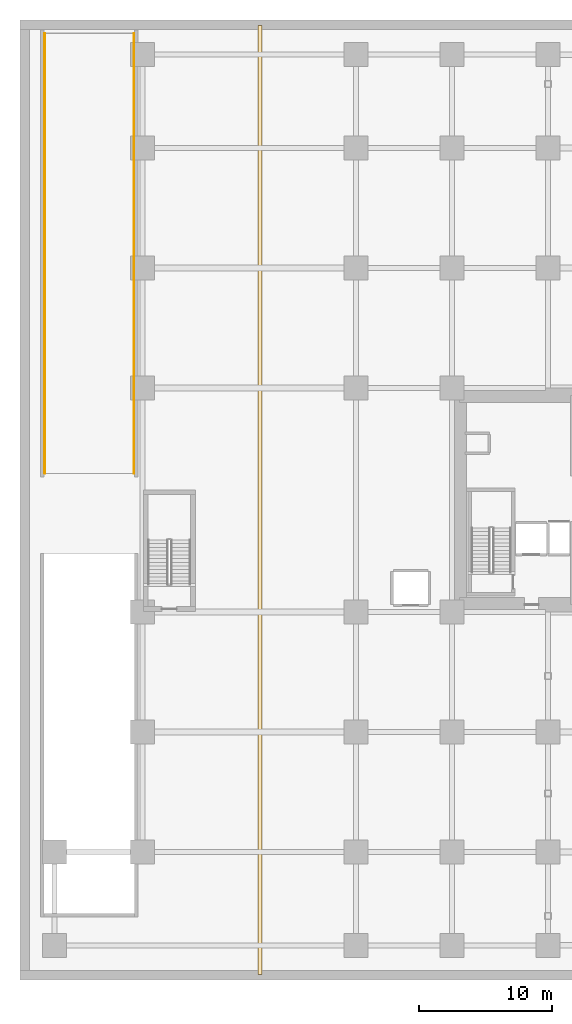
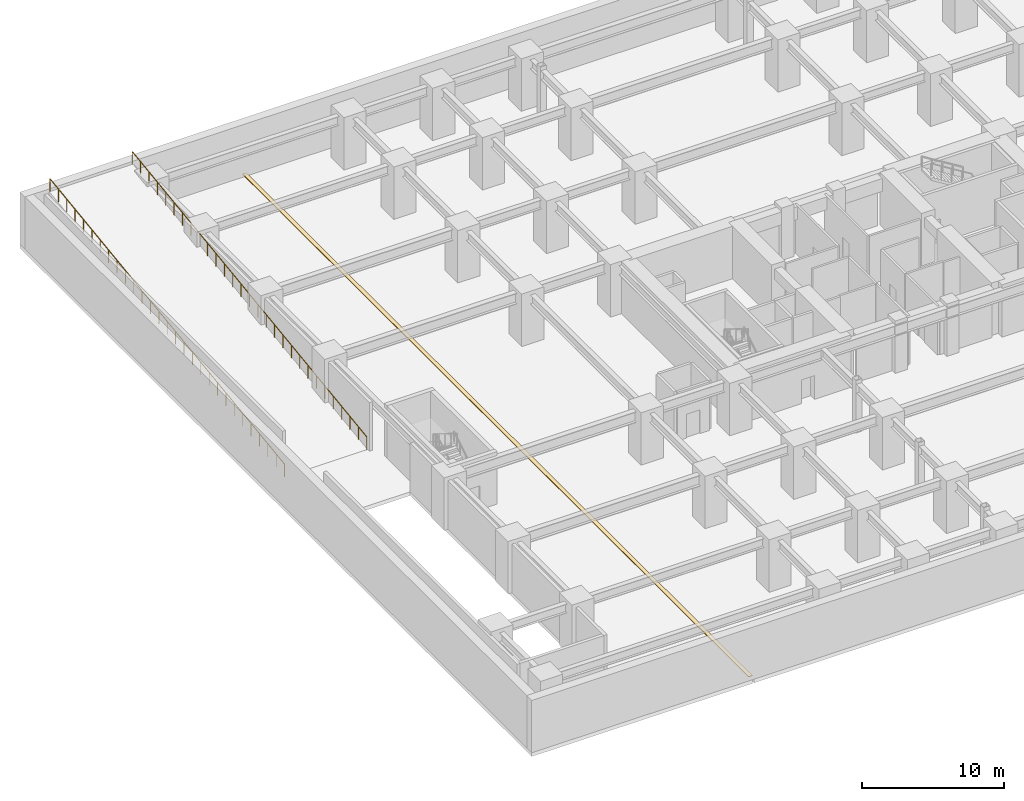
# One storey, part 16 of 20: 2 railings, 1 covering.
"""IFC4 building model written with IfcOpenShell, lengths in metres."""

from ifc_helpers import new_model, si_unit, direction, frame, origin, origin_2d, place, context, subcontext, project, spatial, polyline, rectangle, outline, extrude, material, layer, layer_set, type_object, element, save


model = new_model("IFC4")

# Units and contexts
model_context = context("Model", 3, precision=1e-05, world=origin(), true_north=direction((0.0, 1.0)))
body_context = subcontext(model_context, "Body", "Model", "MODEL_VIEW")
ifc_project = project(units=[si_unit("LENGTHUNIT", "METRE"), si_unit("AREAUNIT", "SQUARE_METRE"), si_unit("VOLUMEUNIT", "CUBIC_METRE"), si_unit("PLANEANGLEUNIT", "RADIAN"), si_unit("MASSUNIT", "GRAM", prefix="KILO")], contexts=[model_context])

# Site, building, storey
site_placement = place(None, origin())
site = spatial("IfcSite", under=ifc_project, at=site_placement, CompositionType="ELEMENT")
building_placement = place(site_placement, origin())
building = spatial("IfcBuilding", under=site, at=building_placement, Name="Kiyonajd Concourse Tower", CompositionType="ELEMENT")
storey_placement = place(building_placement, frame((0.0, 0.0, -4.5)))
storey = spatial("IfcBuildingStorey", under=building, at=storey_placement, Name="B1", CompositionType="ELEMENT", Elevation=-4.5)

# Covering
ifc_material_1 = material(Name="Riyadh Jubaila Limestone", Category="masonry")
ifc_layer = layer(ifc_material_1, 0.050048828125)
ifc_layer_set = layer_set([ifc_layer], Name="Riyadh Jubaila Limestone")
covering_type = type_object("IfcCoveringType", Name="CV-FLR-RAISED", PredefinedType="FLOORING", material=ifc_layer_set)
covering_placement = place(storey_placement, origin())
element("IfcCovering", 1, at=covering_placement, inside=storey, type_object=covering_type, Name="B1 Seismic Movement Joint MJ1 Floor Cover Assembly", PredefinedType="FLOORING", context=body_context, shape_type="SweptSolid", body=[
    extrude(outline(polyline([(17.840087890625, 0.39990234375), (18.159912109375, 0.39990234375), (18.159912109375, 71.60009765625), (17.840087890625, 71.60009765625), (17.840087890625, 0.39990234375)])), origin(), (0.0, 0.0, 1.0), 0.050048828125),
])

# Railings
ifc_material_2 = material(Name="Steel ASTM A500 Grade C", Category="steel")
railing_type = type_object("IfcRailingType", Name="RL-GRD-STR", PredefinedType="GUARDRAIL", material=ifc_material_2)
railing_1_placement = place(storey_placement, frame((1.860107421875, 38.0, 0.0)))
element("IfcRailing", 2, at=railing_1_placement, inside=storey, type_object=railing_type, Name="B1 Vehicle Ramp W Safety Guard", PredefinedType="GUARDRAIL", context=body_context, shape_type="SweptSolid", body=[
    extrude(rectangle(XDim=0.048095703125, YDim=0.048095703125, at=origin_2d()), frame((0.0, 0.0, 1.09619140625), z_axis=(0.0, 0.990830168044, 0.135113204733), x_axis=(-1.0, 0.0, 0.0)), (0.0, 0.0, 1.0), 33.305419921875),
    extrude(rectangle(XDim=0.0419921875, YDim=0.0419921875, at=origin_2d()), origin(), (0.0, 0.0, 1.0), 1.072021484375),
    extrude(rectangle(XDim=0.0419921875, YDim=0.0419921875, at=origin_2d()), frame((0.0, 1.178466796875, 0.16064453125)), (0.0, 0.0, 1.0), 1.072021484375),
    extrude(rectangle(XDim=0.0419921875, YDim=0.0419921875, at=origin_2d()), frame((0.0, 2.357177734375, 0.321533203125)), (0.0, 0.0, 1.0), 1.072021484375),
    extrude(rectangle(XDim=0.0419921875, YDim=0.0419921875, at=origin_2d()), frame((0.0, 3.53564453125, 0.482177734375)), (0.0, 0.0, 1.0), 1.072021484375),
    extrude(rectangle(XDim=0.0419921875, YDim=0.0419921875, at=origin_2d()), frame((0.0, 4.71435546875, 0.642822265625)), (0.0, 0.0, 1.0), 1.072021484375),
    extrude(rectangle(XDim=0.0419921875, YDim=0.0419921875, at=origin_2d()), frame((0.0, 5.892822265625, 0.803466796875)), (0.0, 0.0, 1.0), 1.072021484375),
    extrude(rectangle(XDim=0.0419921875, YDim=0.0419921875, at=origin_2d()), frame((0.0, 7.071533203125, 0.96435546875)), (0.0, 0.0, 1.0), 1.072021484375),
    extrude(rectangle(XDim=0.0419921875, YDim=0.0419921875, at=origin_2d()), frame((0.0, 8.25, 1.125)), (0.0, 0.0, 1.0), 1.072021484375),
    extrude(rectangle(XDim=0.0419921875, YDim=0.0419921875, at=origin_2d()), frame((0.0, 9.428466796875, 1.28564453125)), (0.0, 0.0, 1.0), 1.072021484375),
    extrude(rectangle(XDim=0.0419921875, YDim=0.0419921875, at=origin_2d()), frame((0.0, 10.607177734375, 1.446533203125)), (0.0, 0.0, 1.0), 1.072021484375),
    extrude(rectangle(XDim=0.0419921875, YDim=0.0419921875, at=origin_2d()), frame((0.0, 11.78564453125, 1.607177734375)), (0.0, 0.0, 1.0), 1.072021484375),
    extrude(rectangle(XDim=0.0419921875, YDim=0.0419921875, at=origin_2d()), frame((0.0, 12.96435546875, 1.767822265625)), (0.0, 0.0, 1.0), 1.072021484375),
    extrude(rectangle(XDim=0.0419921875, YDim=0.0419921875, at=origin_2d()), frame((0.0, 14.142822265625, 1.928466796875)), (0.0, 0.0, 1.0), 1.072021484375),
    extrude(rectangle(XDim=0.0419921875, YDim=0.0419921875, at=origin_2d()), frame((0.0, 15.321533203125, 2.08935546875)), (0.0, 0.0, 1.0), 1.072021484375),
    extrude(rectangle(XDim=0.0419921875, YDim=0.0419921875, at=origin_2d()), frame((0.0, 16.5, 2.25)), (0.0, 0.0, 1.0), 1.072021484375),
    extrude(rectangle(XDim=0.0419921875, YDim=0.0419921875, at=origin_2d()), frame((0.0, 17.678466796875, 2.41064453125)), (0.0, 0.0, 1.0), 1.072021484375),
    extrude(rectangle(XDim=0.0419921875, YDim=0.0419921875, at=origin_2d()), frame((0.0, 18.857177734375, 2.571533203125)), (0.0, 0.0, 1.0), 1.072021484375),
    extrude(rectangle(XDim=0.0419921875, YDim=0.0419921875, at=origin_2d()), frame((0.0, 20.03564453125, 2.732177734375)), (0.0, 0.0, 1.0), 1.072021484375),
    extrude(rectangle(XDim=0.0419921875, YDim=0.0419921875, at=origin_2d()), frame((0.0, 21.21435546875, 2.892822265625)), (0.0, 0.0, 1.0), 1.072021484375),
    extrude(rectangle(XDim=0.0419921875, YDim=0.0419921875, at=origin_2d()), frame((0.0, 22.392822265625, 3.053466796875)), (0.0, 0.0, 1.0), 1.072021484375),
    extrude(rectangle(XDim=0.0419921875, YDim=0.0419921875, at=origin_2d()), frame((0.0, 23.571533203125, 3.21435546875)), (0.0, 0.0, 1.0), 1.072021484375),
    extrude(rectangle(XDim=0.0419921875, YDim=0.0419921875, at=origin_2d()), frame((0.0, 24.75, 3.375)), (0.0, 0.0, 1.0), 1.072021484375),
    extrude(rectangle(XDim=0.0419921875, YDim=0.0419921875, at=origin_2d()), frame((0.0, 25.928466796875, 3.53564453125)), (0.0, 0.0, 1.0), 1.072021484375),
    extrude(rectangle(XDim=0.0419921875, YDim=0.0419921875, at=origin_2d()), frame((0.0, 27.107177734375, 3.696533203125)), (0.0, 0.0, 1.0), 1.072021484375),
    extrude(rectangle(XDim=0.0419921875, YDim=0.0419921875, at=origin_2d()), frame((0.0, 28.28564453125, 3.857177734375)), (0.0, 0.0, 1.0), 1.072021484375),
    extrude(rectangle(XDim=0.0419921875, YDim=0.0419921875, at=origin_2d()), frame((0.0, 29.46435546875, 4.017822265625)), (0.0, 0.0, 1.0), 1.072021484375),
    extrude(rectangle(XDim=0.0419921875, YDim=0.0419921875, at=origin_2d()), frame((0.0, 30.642822265625, 4.178466796875)), (0.0, 0.0, 1.0), 1.072021484375),
    extrude(rectangle(XDim=0.0419921875, YDim=0.0419921875, at=origin_2d()), frame((0.0, 31.821533203125, 4.33935546875)), (0.0, 0.0, 1.0), 1.072021484375),
    extrude(rectangle(XDim=0.0419921875, YDim=0.0419921875, at=origin_2d()), frame((0.0, 33.0, 4.5)), (0.0, 0.0, 1.0), 1.072021484375),
])
railing_2_placement = place(storey_placement, frame((8.5400390625, 38.0, 0.0)))
element("IfcRailing", 3, at=railing_2_placement, inside=storey, type_object=railing_type, Name="B1 Vehicle Ramp E Safety Guard", PredefinedType="GUARDRAIL", context=body_context, shape_type="SweptSolid", body=[
    extrude(rectangle(XDim=0.048095703125, YDim=0.048095703125, at=origin_2d()), frame((0.0, 0.0, 1.09619140625), z_axis=(0.0, 0.990830168044, 0.135113204733), x_axis=(-1.0, 0.0, 0.0)), (0.0, 0.0, 1.0), 33.305419921875),
    extrude(rectangle(XDim=0.0419921875, YDim=0.0419921875, at=origin_2d()), origin(), (0.0, 0.0, 1.0), 1.072021484375),
    extrude(rectangle(XDim=0.0419921875, YDim=0.0419921875, at=origin_2d()), frame((0.0, 1.178466796875, 0.16064453125)), (0.0, 0.0, 1.0), 1.072021484375),
    extrude(rectangle(XDim=0.0419921875, YDim=0.0419921875, at=origin_2d()), frame((0.0, 2.357177734375, 0.321533203125)), (0.0, 0.0, 1.0), 1.072021484375),
    extrude(rectangle(XDim=0.0419921875, YDim=0.0419921875, at=origin_2d()), frame((0.0, 3.53564453125, 0.482177734375)), (0.0, 0.0, 1.0), 1.072021484375),
    extrude(rectangle(XDim=0.0419921875, YDim=0.0419921875, at=origin_2d()), frame((0.0, 4.71435546875, 0.642822265625)), (0.0, 0.0, 1.0), 1.072021484375),
    extrude(rectangle(XDim=0.0419921875, YDim=0.0419921875, at=origin_2d()), frame((0.0, 5.892822265625, 0.803466796875)), (0.0, 0.0, 1.0), 1.072021484375),
    extrude(rectangle(XDim=0.0419921875, YDim=0.0419921875, at=origin_2d()), frame((0.0, 7.071533203125, 0.96435546875)), (0.0, 0.0, 1.0), 1.072021484375),
    extrude(rectangle(XDim=0.0419921875, YDim=0.0419921875, at=origin_2d()), frame((0.0, 8.25, 1.125)), (0.0, 0.0, 1.0), 1.072021484375),
    extrude(rectangle(XDim=0.0419921875, YDim=0.0419921875, at=origin_2d()), frame((0.0, 9.428466796875, 1.28564453125)), (0.0, 0.0, 1.0), 1.072021484375),
    extrude(rectangle(XDim=0.0419921875, YDim=0.0419921875, at=origin_2d()), frame((0.0, 10.607177734375, 1.446533203125)), (0.0, 0.0, 1.0), 1.072021484375),
    extrude(rectangle(XDim=0.0419921875, YDim=0.0419921875, at=origin_2d()), frame((0.0, 11.78564453125, 1.607177734375)), (0.0, 0.0, 1.0), 1.072021484375),
    extrude(rectangle(XDim=0.0419921875, YDim=0.0419921875, at=origin_2d()), frame((0.0, 12.96435546875, 1.767822265625)), (0.0, 0.0, 1.0), 1.072021484375),
    extrude(rectangle(XDim=0.0419921875, YDim=0.0419921875, at=origin_2d()), frame((0.0, 14.142822265625, 1.928466796875)), (0.0, 0.0, 1.0), 1.072021484375),
    extrude(rectangle(XDim=0.0419921875, YDim=0.0419921875, at=origin_2d()), frame((0.0, 15.321533203125, 2.08935546875)), (0.0, 0.0, 1.0), 1.072021484375),
    extrude(rectangle(XDim=0.0419921875, YDim=0.0419921875, at=origin_2d()), frame((0.0, 16.5, 2.25)), (0.0, 0.0, 1.0), 1.072021484375),
    extrude(rectangle(XDim=0.0419921875, YDim=0.0419921875, at=origin_2d()), frame((0.0, 17.678466796875, 2.41064453125)), (0.0, 0.0, 1.0), 1.072021484375),
    extrude(rectangle(XDim=0.0419921875, YDim=0.0419921875, at=origin_2d()), frame((0.0, 18.857177734375, 2.571533203125)), (0.0, 0.0, 1.0), 1.072021484375),
    extrude(rectangle(XDim=0.0419921875, YDim=0.0419921875, at=origin_2d()), frame((0.0, 20.03564453125, 2.732177734375)), (0.0, 0.0, 1.0), 1.072021484375),
    extrude(rectangle(XDim=0.0419921875, YDim=0.0419921875, at=origin_2d()), frame((0.0, 21.21435546875, 2.892822265625)), (0.0, 0.0, 1.0), 1.072021484375),
    extrude(rectangle(XDim=0.0419921875, YDim=0.0419921875, at=origin_2d()), frame((0.0, 22.392822265625, 3.053466796875)), (0.0, 0.0, 1.0), 1.072021484375),
    extrude(rectangle(XDim=0.0419921875, YDim=0.0419921875, at=origin_2d()), frame((0.0, 23.571533203125, 3.21435546875)), (0.0, 0.0, 1.0), 1.072021484375),
    extrude(rectangle(XDim=0.0419921875, YDim=0.0419921875, at=origin_2d()), frame((0.0, 24.75, 3.375)), (0.0, 0.0, 1.0), 1.072021484375),
    extrude(rectangle(XDim=0.0419921875, YDim=0.0419921875, at=origin_2d()), frame((0.0, 25.928466796875, 3.53564453125)), (0.0, 0.0, 1.0), 1.072021484375),
    extrude(rectangle(XDim=0.0419921875, YDim=0.0419921875, at=origin_2d()), frame((0.0, 27.107177734375, 3.696533203125)), (0.0, 0.0, 1.0), 1.072021484375),
    extrude(rectangle(XDim=0.0419921875, YDim=0.0419921875, at=origin_2d()), frame((0.0, 28.28564453125, 3.857177734375)), (0.0, 0.0, 1.0), 1.072021484375),
    extrude(rectangle(XDim=0.0419921875, YDim=0.0419921875, at=origin_2d()), frame((0.0, 29.46435546875, 4.017822265625)), (0.0, 0.0, 1.0), 1.072021484375),
    extrude(rectangle(XDim=0.0419921875, YDim=0.0419921875, at=origin_2d()), frame((0.0, 30.642822265625, 4.178466796875)), (0.0, 0.0, 1.0), 1.072021484375),
    extrude(rectangle(XDim=0.0419921875, YDim=0.0419921875, at=origin_2d()), frame((0.0, 31.821533203125, 4.33935546875)), (0.0, 0.0, 1.0), 1.072021484375),
    extrude(rectangle(XDim=0.0419921875, YDim=0.0419921875, at=origin_2d()), frame((0.0, 33.0, 4.5)), (0.0, 0.0, 1.0), 1.072021484375),
])

save(model, "model.ifc")
